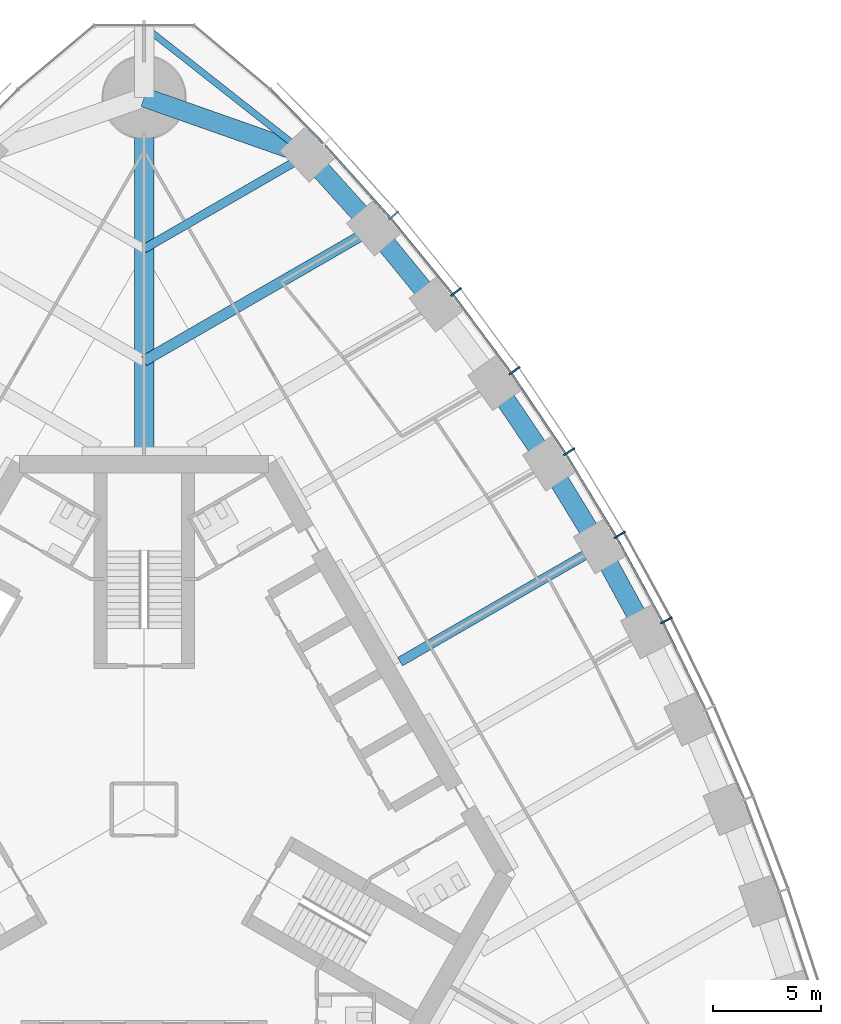
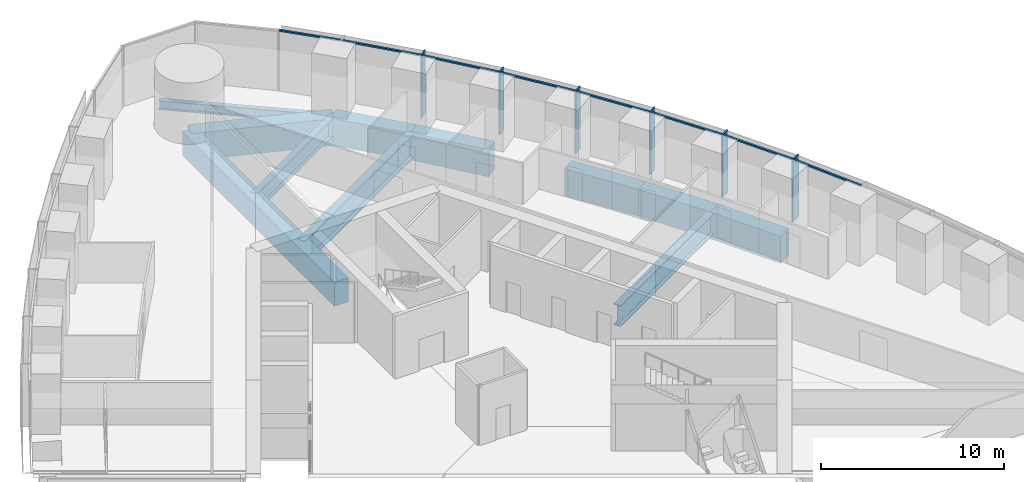
# One storey, part 7 of 19: 14 members, 11 beams, 1 element without a shape of its own.
"""IFC4 building model written with IfcOpenShell, lengths in metres."""

from ifc_helpers import new_model, si_unit, direction, frame, origin, origin_2d, place, context, subcontext, project, spatial, rectangle, i_section, extrude, material, material_profile, profile_set, type_object, element, aggregate, save


model = new_model("IFC4")

# Units and contexts
model_context = context("Model", 3, precision=1e-05, world=origin(), true_north=direction((0.0, 1.0)))
body_context = subcontext(model_context, "Body", "Model", "MODEL_VIEW")
ifc_project = project(units=[si_unit("LENGTHUNIT", "METRE"), si_unit("AREAUNIT", "SQUARE_METRE"), si_unit("VOLUMEUNIT", "CUBIC_METRE"), si_unit("PLANEANGLEUNIT", "RADIAN"), si_unit("MASSUNIT", "GRAM", prefix="KILO")], contexts=[model_context])

# Site, building, storey
site_placement = place(None, origin())
site = spatial("IfcSite", under=ifc_project, at=site_placement, CompositionType="ELEMENT")
building_placement = place(site_placement, origin())
building = spatial("IfcBuilding", under=site, at=building_placement, Name="Trefoil Bronze Tower", CompositionType="ELEMENT")
storey_placement = place(building_placement, frame((0.0, 0.0, 193.89990234375)))
storey = spatial("IfcBuildingStorey", under=building, at=storey_placement, Name="L44", CompositionType="ELEMENT", Elevation=193.89990234375)

# Curtain wall, members
ifc_material_1 = material(Name="Tinted solar-control glass", Category="glass")
curtain_wall_type = type_object("IfcCurtainWallType", Name="Bronze office curtain wall", PredefinedType="USERDEFINED", material=ifc_material_1)
curtain_wall_placement = place(storey_placement, origin())
curtain_wall = element("IfcCurtainWall", 1, at=curtain_wall_placement, inside=storey, type_object=curtain_wall_type, Name="CW-A L44 F2", ObjectType="CURTAIN WALL", PredefinedType="USERDEFINED")
ifc_material_2 = material(Name="Bronze-finish aluminium", Category="aluminium")
ifc_material_profile_1 = material_profile(ifc_material_2, rectangle(XDim=0.60009765625, YDim=0.080078125, at=origin_2d()), Name="CW-A mullion")
ifc_profile_set_1 = profile_set([ifc_material_profile_1], Name="Bronze-finish aluminium")
member_type_1 = type_object("IfcMemberType", Name="Bronze office curtain wall mullion", PredefinedType="MULLION", material=ifc_profile_set_1)
member_1_placement = place(storey_placement, frame((24.2080078125, 8.764404296875, 0.0), z_axis=(0.0, 0.0, 1.0), x_axis=(-0.888088206965, -0.459673075837, 0.0)))
member_1 = element("IfcMember", 2, at=member_1_placement, type_object=member_type_1, Name="CW-A L44 F2 mullion 6", PredefinedType="MULLION", context=body_context, shape_type="SweptSolid", body=[
    extrude(rectangle(XDim=0.60009765625, YDim=0.080078125, at=origin_2d()), origin(), (0.0, 0.0, 1.0), 4.18017578125),
])
member_2_placement = place(storey_placement, frame((22.041015625, 12.725341796875, 0.0), z_axis=(0.0, 0.0, 1.0), x_axis=(-0.866025403784, -0.5, 0.0)))
member_2 = element("IfcMember", 3, at=member_2_placement, type_object=member_type_1, Name="CW-A L44 F2 mullion 7", PredefinedType="MULLION", context=body_context, shape_type="SweptSolid", body=[
    extrude(rectangle(XDim=0.60009765625, YDim=0.080078125, at=origin_2d()), origin(), (0.0, 0.0, 1.0), 4.18017578125),
])
member_3_placement = place(storey_placement, frame((19.694091796875, 16.58251953125, 0.0), z_axis=(0.0, 0.0, 1.0), x_axis=(-0.842132664593, -0.539270410114, 0.0)))
member_3 = element("IfcMember", 4, at=member_3_placement, type_object=member_type_1, Name="CW-A L44 F2 mullion 8", PredefinedType="MULLION", context=body_context, shape_type="SweptSolid", body=[
    extrude(rectangle(XDim=0.60009765625, YDim=0.080078125, at=origin_2d()), origin(), (0.0, 0.0, 1.0), 4.18017578125),
])
member_4_placement = place(storey_placement, frame((17.167236328125, 20.335693359375, 0.0), z_axis=(0.0, 0.0, 1.0), x_axis=(-0.81640398396, -0.577481198806, 0.0)))
member_4 = element("IfcMember", 5, at=member_4_placement, type_object=member_type_1, Name="CW-A L44 F2 mullion 9", PredefinedType="MULLION", context=body_context, shape_type="SweptSolid", body=[
    extrude(rectangle(XDim=0.60009765625, YDim=0.080078125, at=origin_2d()), origin(), (0.0, 0.0, 1.0), 4.18017578125),
])
member_5_placement = place(storey_placement, frame((14.45849609375, 23.98388671875, 0.0), z_axis=(0.0, 0.0, 1.0), x_axis=(-0.788821461078, -0.614622406476, 0.0)))
member_5 = element("IfcMember", 6, at=member_5_placement, type_object=member_type_1, Name="CW-A L44 F2 mullion 10", PredefinedType="MULLION", context=body_context, shape_type="SweptSolid", body=[
    extrude(rectangle(XDim=0.60009765625, YDim=0.080078125, at=origin_2d()), origin(), (0.0, 0.0, 1.0), 4.18017578125),
])
member_6_placement = place(storey_placement, frame((11.564697265625, 27.525146484375, 0.0), z_axis=(0.0, 0.0, 1.0), x_axis=(-0.75935470958, -0.650676897576, 0.0)))
member_6 = element("IfcMember", 7, at=member_6_placement, type_object=member_type_1, Name="CW-A L44 F2 mullion 11", PredefinedType="MULLION", context=body_context, shape_type="SweptSolid", body=[
    extrude(rectangle(XDim=0.60009765625, YDim=0.080078125, at=origin_2d()), origin(), (0.0, 0.0, 1.0), 4.18017578125),
])
ifc_material_3 = material(Name="Bronze-finish aluminium", Category="aluminium")
ifc_material_profile_2 = material_profile(ifc_material_3, rectangle(XDim=0.1201171875, YDim=0.10009765625, at=origin_2d()), Name="CW-A transom")
ifc_profile_set_2 = profile_set([ifc_material_profile_2], Name="Bronze-finish aluminium")
member_type_2 = type_object("IfcMemberType", Name="Bronze office curtain wall transom", PredefinedType="USERDEFINED", material=ifc_profile_set_2)
member_7_placement = place(storey_placement, frame((25.99462890625, 4.65380859375, 4.130126953125), z_axis=(-0.439150835991, 0.898413347657, 0.0), x_axis=(-0.898413347657, -0.439150835991, 0.0)))
member_7 = element("IfcMember", 8, at=member_7_placement, type_object=member_type_2, Name="CW-A L44 F2 transom 5", ObjectType="TRANSOM", PredefinedType="USERDEFINED", context=body_context, shape_type="SweptSolid", body=[
    extrude(rectangle(XDim=0.1201171875, YDim=0.10009765625, at=origin_2d()), origin(), (0.0, 0.0, 1.0), 4.430908203125),
])
member_8_placement = place(storey_placement, frame((24.010009765625, 8.70947265625, 4.130126953125), z_axis=(-0.479973729071, 0.877282861683, 0.0), x_axis=(-0.877282861683, -0.479973729071, 0.0)))
member_8 = element("IfcMember", 9, at=member_8_placement, type_object=member_type_2, Name="CW-A L44 F2 transom 6", ObjectType="TRANSOM", PredefinedType="USERDEFINED", context=body_context, shape_type="SweptSolid", body=[
    extrude(rectangle(XDim=0.1201171875, YDim=0.10009765625, at=origin_2d()), origin(), (0.0, 0.0, 1.0), 4.421142578125),
])
member_9_placement = place(storey_placement, frame((21.845703125, 12.661376953125, 4.130126953125), z_axis=(-0.519740214649, 0.854324358354, 0.0), x_axis=(-0.854324358354, -0.519740214649, 0.0)))
member_9 = element("IfcMember", 10, at=member_9_placement, type_object=member_type_2, Name="CW-A L44 F2 transom 7", ObjectType="TRANSOM", PredefinedType="USERDEFINED", context=body_context, shape_type="SweptSolid", body=[
    extrude(rectangle(XDim=0.1201171875, YDim=0.10009765625, at=origin_2d()), origin(), (0.0, 0.0, 1.0), 4.421142578125),
])
member_10_placement = place(storey_placement, frame((19.502197265625, 16.509765625, 4.130126953125), z_axis=(-0.558509087547, 0.829498402125, 0.0), x_axis=(-0.829498402125, -0.558509087547, 0.0)))
member_10 = element("IfcMember", 11, at=member_10_placement, type_object=member_type_2, Name="CW-A L44 F2 transom 8", ObjectType="TRANSOM", PredefinedType="USERDEFINED", context=body_context, shape_type="SweptSolid", body=[
    extrude(rectangle(XDim=0.1201171875, YDim=0.10009765625, at=origin_2d()), origin(), (0.0, 0.0, 1.0), 4.4306640625),
])
member_11_placement = place(storey_placement, frame((16.978759765625, 20.254150390625, 4.130126953125), z_axis=(-0.59614822717, 0.802874393191, 0.0), x_axis=(-0.802874393191, -0.59614822717, 0.0)))
member_11 = element("IfcMember", 12, at=member_11_placement, type_object=member_type_2, Name="CW-A L44 F2 transom 9", ObjectType="TRANSOM", PredefinedType="USERDEFINED", context=body_context, shape_type="SweptSolid", body=[
    extrude(rectangle(XDim=0.1201171875, YDim=0.10009765625, at=origin_2d()), origin(), (0.0, 0.0, 1.0), 4.449951171875),
])
member_12_placement = place(storey_placement, frame((14.27392578125, 23.8935546875, 4.130126953125), z_axis=(-0.632756871921, 0.774350528531, 0.0), x_axis=(-0.774350528531, -0.632756871921, 0.0)))
member_12 = element("IfcMember", 13, at=member_12_placement, type_object=member_type_2, Name="CW-A L44 F2 transom 10", ObjectType="TRANSOM", PredefinedType="USERDEFINED", context=body_context, shape_type="SweptSolid", body=[
    extrude(rectangle(XDim=0.1201171875, YDim=0.10009765625, at=origin_2d()), origin(), (0.0, 0.0, 1.0), 4.4794921875),
])
member_13_placement = place(storey_placement, frame((11.384521484375, 27.426513671875, 4.130126953125), z_axis=(-0.66825109551, 0.743935799213, 0.0), x_axis=(-0.743935799213, -0.66825109551, 0.0)))
member_13 = element("IfcMember", 14, at=member_13_placement, type_object=member_type_2, Name="CW-A L44 F2 transom 11", ObjectType="TRANSOM", PredefinedType="USERDEFINED", context=body_context, shape_type="SweptSolid", body=[
    extrude(rectangle(XDim=0.1201171875, YDim=0.10009765625, at=origin_2d()), origin(), (0.0, 0.0, 1.0), 4.519287109375),
])
member_14_placement = place(storey_placement, frame((8.306884765625, 30.85009765625, 4.130126953125), z_axis=(-0.698646935368, 0.715466602785, 0.0), x_axis=(-0.715466602785, -0.698646935368, 0.0)))
member_14 = element("IfcMember", 15, at=member_14_placement, type_object=member_type_2, Name="CW-A L44 F2 transom 12", ObjectType="TRANSOM", PredefinedType="USERDEFINED", context=body_context, shape_type="SweptSolid", body=[
    extrude(rectangle(XDim=0.1201171875, YDim=0.10009765625, at=origin_2d()), origin(), (0.0, 0.0, 1.0), 3.483642578125),
])
aggregate(curtain_wall, [member_1, member_2, member_3, member_4, member_5, member_6, member_7, member_8, member_9, member_10, member_11, member_12, member_13, member_14])

# Beams
ifc_material_4 = material(Name="Steel C355", Category="steel")
ifc_material_profile_3 = material_profile(ifc_material_4, i_section(OverallWidth=0.300048828125, OverallDepth=0.60009765625, WebThickness=0.015380859375, FlangeThickness=0.030029296875, FilletRadius=0.027099609375, at=origin_2d()), Name="HEB 600")
ifc_profile_set_3 = profile_set([ifc_material_profile_3], Name="Steel C355")
beam_type_1 = type_object("IfcBeamType", Name="Corner edge beam HEB 600", PredefinedType="BEAM", material=ifc_profile_set_3)
beam_1_placement = place(storey_placement, frame((7.552001953125, 30.3408203125, -0.5), z_axis=(-0.785805912008, 0.618473175371, 0.0), x_axis=(-0.618473175371, -0.785805912008, 0.0)))
element("IfcBeam", 16, at=beam_1_placement, inside=storey, type_object=beam_type_1, Name="Corner edge beam F2A L44", PredefinedType="BEAM", context=body_context, shape_type="SweptSolid", body=[
    extrude(i_section(OverallWidth=0.300048828125, OverallDepth=0.60009765625, WebThickness=0.015380859375, FlangeThickness=0.030029296875, FilletRadius=0.027099609375, at=origin_2d()), origin(), (0.0, 0.0, 1.0), 9.610595703125),
])
ifc_material_5 = material(Name="Concrete B80", Category="concrete")
ifc_material_profile_4 = material_profile(ifc_material_5, rectangle(XDim=0.89990234375, YDim=1.60009765625, at=origin_2d()), Name="RC 900x1600")
ifc_profile_set_4 = profile_set([ifc_material_profile_4], Name="Concrete B80")
beam_type_2 = type_object("IfcBeamType", Name="Corner girder RC 900x1600", PredefinedType="BEAM", material=ifc_profile_set_4)
beam_2_placement = place(storey_placement, frame((0.0, 16.39990234375, -1.0), z_axis=(0.0, 1.0, 0.0), x_axis=(-1.0, 0.0, 0.0)))
element("IfcBeam", 17, at=beam_2_placement, inside=storey, type_object=beam_type_2, Name="Corner girder K2 L44", PredefinedType="BEAM", context=body_context, shape_type="SweptSolid", body=[
    extrude(rectangle(XDim=0.89990234375, YDim=1.60009765625, at=origin_2d()), origin(), (0.0, 0.0, 1.0), 16.60009765625),
])
ifc_material_6 = material(Name="Concrete B80", Category="concrete")
ifc_material_profile_5 = material_profile(ifc_material_6, rectangle(XDim=0.89990234375, YDim=1.800048828125, at=origin_2d()), Name="RC 900x1800")
ifc_profile_set_5 = profile_set([ifc_material_profile_5], Name="Concrete B80")
beam_type_3 = type_object("IfcBeamType", Name="End spandrel beam RC 900x1800", PredefinedType="SPANDREL", material=ifc_profile_set_5)
beam_3_placement = place(storey_placement, frame((7.552001953125, 30.3408203125, -1.099853515625), z_axis=(-0.943234397359, 0.332127794137, 0.0), x_axis=(-0.332127794137, -0.943234397359, 0.0)))
element("IfcBeam", 18, at=beam_3_placement, inside=storey, type_object=beam_type_3, Name="Spandrel F2.12 L44", PredefinedType="SPANDREL", context=body_context, shape_type="SweptSolid", body=[
    extrude(rectangle(XDim=0.89990234375, YDim=1.800048828125, at=origin_2d()), origin(), (0.0, 0.0, 1.0), 8.006591796875),
])
ifc_material_7 = material(Name="Steel C355", Category="steel")
ifc_material_profile_6 = material_profile(ifc_material_7, i_section(OverallWidth=0.39990234375, OverallDepth=1.199951171875, WebThickness=0.02001953125, FlangeThickness=0.0400390625, FilletRadius=0.010009765625, at=origin_2d()), Name="WPG 1200")
ifc_profile_set_6 = profile_set([ifc_material_profile_6], Name="Steel C355")
beam_type_4 = type_object("IfcBeamType", Name="Floor beam WPG 1200", PredefinedType="BEAM", material=ifc_profile_set_6)
beam_4_placement = place(storey_placement, frame((7.552001953125, 30.3408203125, -0.7998046875), z_axis=(-0.866027535932, -0.499996306993, 0.0), x_axis=(0.499996306993, -0.866027535932, 0.0)))
element("IfcBeam", 19, at=beam_4_placement, inside=storey, type_object=beam_type_4, Name="Floor beam F2/+5 L44", PredefinedType="BEAM", context=body_context, shape_type="SweptSolid", body=[
    extrude(i_section(OverallWidth=0.39990234375, OverallDepth=1.199951171875, WebThickness=0.02001953125, FlangeThickness=0.0400390625, FilletRadius=0.010009765625, at=origin_2d()), origin(), (0.0, 0.0, 1.0), 8.72021484375),
])
ifc_material_8 = material(Name="Steel C355", Category="steel")
ifc_material_profile_7 = material_profile(ifc_material_8, i_section(OverallWidth=0.449951171875, OverallDepth=1.39990234375, WebThickness=0.02294921875, FlangeThickness=0.044921875, FilletRadius=0.011962890625, at=origin_2d()), Name="WPG 1400")
ifc_profile_set_7 = profile_set([ifc_material_profile_7], Name="Steel C355")
beam_type_5 = type_object("IfcBeamType", Name="Floor beam WPG 1400", PredefinedType="BEAM", material=ifc_profile_set_7)
beam_5_placement = place(storey_placement, frame((21.08837890625, 12.17529296875, -0.89990234375), z_axis=(-0.866034044198, -0.499985034066, 0.0), x_axis=(0.499985034066, -0.866034044198, 0.0)))
element("IfcBeam", 20, at=beam_5_placement, inside=storey, type_object=beam_type_5, Name="Floor beam F2/+0 L44", PredefinedType="BEAM", context=body_context, shape_type="SweptSolid", body=[
    extrude(i_section(OverallWidth=0.449951171875, OverallDepth=1.39990234375, WebThickness=0.02294921875, FlangeThickness=0.044921875, FilletRadius=0.011962890625, at=origin_2d()), origin(), (0.0, 0.0, 1.0), 10.650634765625),
])
ifc_material_9 = material(Name="Steel C355", Category="steel")
ifc_material_profile_8 = material_profile(ifc_material_9, i_section(OverallWidth=0.5, OverallDepth=1.60009765625, WebThickness=0.02587890625, FlangeThickness=0.050048828125, FilletRadius=0.011962890625, at=origin_2d()), Name="WPG 1600")
ifc_profile_set_8 = profile_set([ifc_material_profile_8], Name="Steel C355")
beam_type_6 = type_object("IfcBeamType", Name="Floor beam WPG 1600", PredefinedType="BEAM", material=ifc_profile_set_8)
beam_6_placement = place(storey_placement, frame((10.632080078125, 26.923095703125, -1.0), z_axis=(-0.866025635187, -0.499999599199, 0.0), x_axis=(0.499999599199, -0.866025635187, 0.0)))
element("IfcBeam", 21, at=beam_6_placement, inside=storey, type_object=beam_type_6, Name="Floor beam F2/+4 L44", PredefinedType="BEAM", context=body_context, shape_type="SweptSolid", body=[
    extrude(i_section(OverallWidth=0.5, OverallDepth=1.60009765625, WebThickness=0.02587890625, FlangeThickness=0.050048828125, FilletRadius=0.011962890625, at=origin_2d()), origin(), (0.0, 0.0, 1.0), 12.27685546875),
])
ifc_material_10 = material(Name="Concrete B80", Category="concrete")
ifc_material_profile_9 = material_profile(ifc_material_10, rectangle(XDim=0.89990234375, YDim=1.800048828125, at=origin_2d()), Name="RC 900x1800")
ifc_profile_set_9 = profile_set([ifc_material_profile_9], Name="Concrete B80")
beam_type_7 = type_object("IfcBeamType", Name="Spandrel beam RC 900x1800", PredefinedType="SPANDREL", material=ifc_profile_set_9)
for number, where, z_axis, x_axis, name in (
    (22, (23.248046875, 8.22607421875, -1.099853515625), (-0.479801903802, 0.87737684783, 0.0), (-0.87737684783, -0.479801903802, 0.0), "Spandrel F2.6 L44"),
    (23, (21.08837890625, 12.17529296875, -1.099853515625), (-0.519933181394, 0.854206934464, 0.0), (-0.854206934464, -0.519933181394, 0.0), "Spandrel F2.7 L44"),
):
    element("IfcBeam", number, at=place(storey_placement, frame(where, z_axis=z_axis, x_axis=x_axis)), inside=storey, type_object=beam_type_7, Name=name, PredefinedType="SPANDREL", context=body_context, shape_type="SweptSolid", body=[
        extrude(rectangle(XDim=0.89990234375, YDim=1.800048828125, at=origin_2d()), origin(), (0.0, 0.0, 1.0), 4.501220703125),
    ])
beam_7_placement = place(storey_placement, frame((18.748046875, 16.020263671875, -1.099853515625), z_axis=(-0.558964302753, 0.829191719838, 0.0), x_axis=(-0.829191719838, -0.558964302753, 0.0)))
element("IfcBeam", 24, at=beam_7_placement, inside=storey, type_object=beam_type_7, Name="Spandrel F2.8 L44", PredefinedType="SPANDREL", context=body_context, shape_type="SweptSolid", body=[
    extrude(rectangle(XDim=0.89990234375, YDim=1.800048828125, at=origin_2d()), origin(), (0.0, 0.0, 1.0), 4.510986328125),
])
beam_8_placement = place(storey_placement, frame((13.522216796875, 23.3955078125, -1.099853515625), z_axis=(-0.633753657863, 0.773534938542, 0.0), x_axis=(-0.773534938542, -0.633753657863, 0.0)))
element("IfcBeam", 25, at=beam_8_placement, inside=storey, type_object=beam_type_7, Name="Spandrel F2.10 L44", PredefinedType="SPANDREL", context=body_context, shape_type="SweptSolid", body=[
    extrude(rectangle(XDim=0.89990234375, YDim=1.800048828125, at=origin_2d()), origin(), (0.0, 0.0, 1.0), 4.560302734375),
])
beam_9_placement = place(storey_placement, frame((10.632080078125, 26.923095703125, -1.099853515625), z_axis=(-0.669460045872, 0.742848064534, 0.0), x_axis=(-0.742848064534, -0.669460045872, 0.0)))
element("IfcBeam", 26, at=beam_9_placement, inside=storey, type_object=beam_type_7, Name="Spandrel F2.11 L44", PredefinedType="SPANDREL", context=body_context, shape_type="SweptSolid", body=[
    extrude(rectangle(XDim=0.89990234375, YDim=1.800048828125, at=origin_2d()), origin(), (0.0, 0.0, 1.0), 4.600830078125),
])

save(model, "model.ifc")
